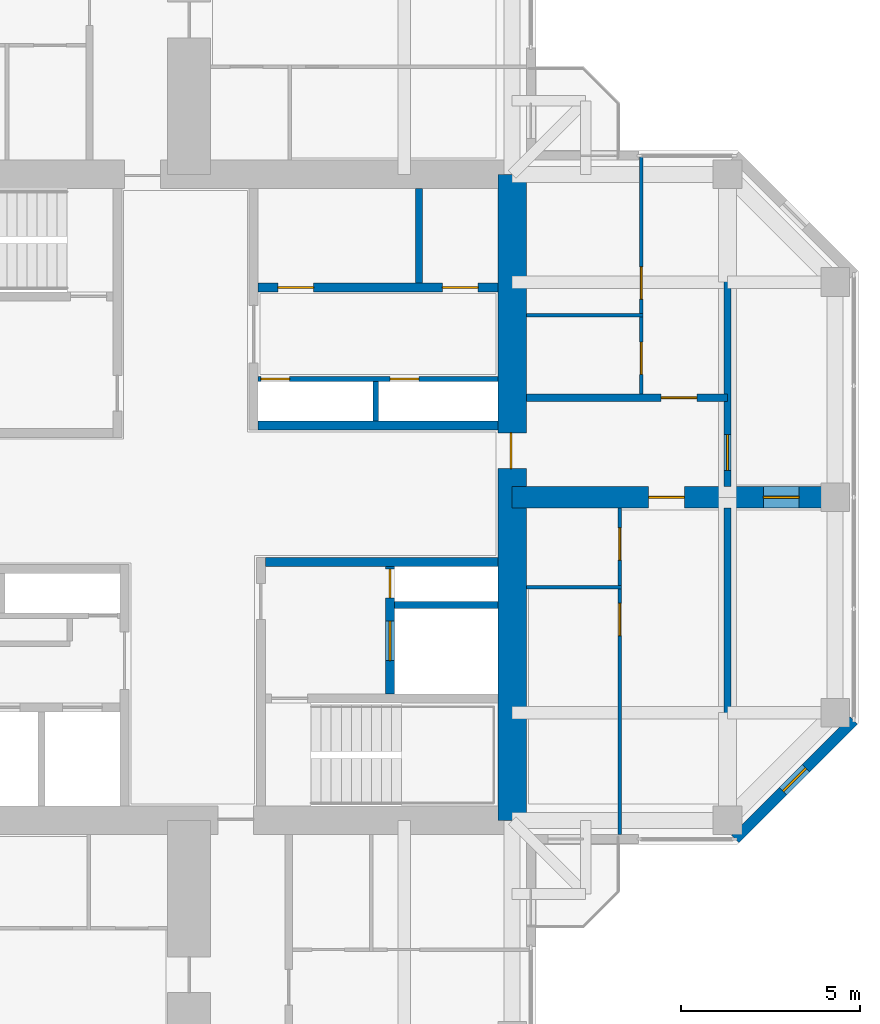
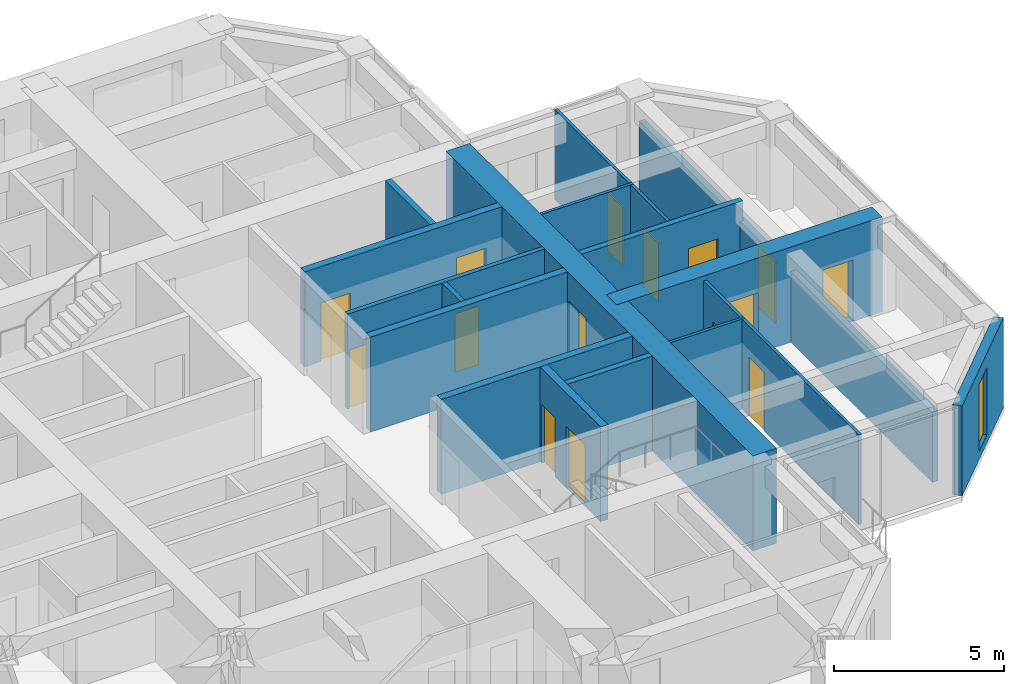
# One storey, part 11 of 13: 18 walls, 15 doors, 1 window, 16 openings.
"""IFC4 building model written with IfcOpenShell, lengths in metres."""

from ifc_helpers import new_model, si_unit, direction, frame, frame_2d, origin, place, context, subcontext, project, spatial, rectangle, hollow_rectangle, extrude, material, layer, layer_set, constituent, constituent_set, type_object, element, fill, save


model = new_model("IFC4")

# Units and contexts
model_context = context("Model", 3, precision=1e-05, world=origin(), true_north=direction((0.0, 1.0)))
body_context = subcontext(model_context, "Body", "Model", "MODEL_VIEW")
ifc_project = project(units=[si_unit("LENGTHUNIT", "METRE"), si_unit("AREAUNIT", "SQUARE_METRE"), si_unit("VOLUMEUNIT", "CUBIC_METRE"), si_unit("PLANEANGLEUNIT", "RADIAN"), si_unit("MASSUNIT", "GRAM", prefix="KILO")], contexts=[model_context])

# Site, building, storey
site_placement = place(None, origin())
site = spatial("IfcSite", under=ifc_project, at=site_placement, CompositionType="ELEMENT")
building_placement = place(site_placement, origin())
building = spatial("IfcBuilding", under=site, at=building_placement, Name="Torre Cruceta", CompositionType="ELEMENT")
storey_placement = place(building_placement, frame((0.0, 0.0, 235.699951171875)))
storey = spatial("IfcBuildingStorey", under=building, at=storey_placement, Name="L60", CompositionType="ELEMENT", Elevation=235.699951171875)

# Wall
ifc_material_1 = material(Name="Water-resistant plasterboard on steel studs", Category="steel")
ifc_layer_1 = layer(ifc_material_1, 0.10009765625)
ifc_layer_set_1 = layer_set([ifc_layer_1], Name="Water-resistant plasterboard on steel studs")
wall_type_1 = type_object("IfcWallType", Name="BATHROOM WALL 100", PredefinedType="PARTITIONING", material=ifc_layer_set_1)
wall_1_placement = place(storey_placement, frame((9.39990234375, 5.074951171875, 0.0), z_axis=(0.0, 0.0, 1.0), x_axis=(1.0, 0.0, 0.0)))
element("IfcWall", 1, at=wall_1_placement, inside=storey, type_object=wall_type_1, Name="PT4 L60-E-U1LBB", PredefinedType="PARTITIONING", context=body_context, shape_type="SweptSolid", body=[
    extrude(rectangle(XDim=3.25, YDim=0.10009765625, at=frame_2d((1.625, 0.0))), origin(), (0.0, 0.0, 1.0), 3.219970703125),
])

# Wall, openings, doors
wall_2_placement = place(storey_placement, frame((12.60009765625, 2.875, 0.0), z_axis=(0.0, 0.0, 1.0), x_axis=(0.0, 1.0, 0.0)))
wall_2 = element("IfcWall", 2, at=wall_2_placement, inside=storey, type_object=wall_type_1, Name="PT4 L60-E-U1LBS", PredefinedType="PARTITIONING", context=body_context, shape_type="SweptSolid", body=[
    extrude(rectangle(XDim=6.60498046875, YDim=0.10009765625, at=frame_2d((3.302490234375, 0.0))), origin(), (0.0, 0.0, 1.0), 3.219970703125),
])
opening_1_placement = place(wall_2_placement, frame((0.550048828125, 0.0, 0.0)))
opening_1 = element("IfcOpeningElement", 3, at=opening_1_placement, cuts=wall_2, Name="Opening D7", PredefinedType="OPENING", context=body_context, shape_type="SweptSolid", body=[
    extrude(rectangle(XDim=0.89990234375, YDim=2.10009765625, at=frame_2d((0.449951171875, 1.050048828125))), frame((0.0, 0.06005859375, 0.0), z_axis=(0.0, -1.0, 0.0), x_axis=(1.0, 0.0, 0.0)), (0.0, 0.0, 1.0), 0.1201171875),
])
opening_2_placement = place(wall_2_placement, frame((2.64990234375, 0.0, 0.0)))
opening_2 = element("IfcOpeningElement", 4, at=opening_2_placement, cuts=wall_2, Name="Opening D7", PredefinedType="OPENING", context=body_context, shape_type="SweptSolid", body=[
    extrude(rectangle(XDim=0.89990234375, YDim=2.10009765625, at=frame_2d((0.449951171875, 1.050048828125))), frame((0.0, 0.06005859375, 0.0), z_axis=(0.0, -1.0, 0.0), x_axis=(1.0, 0.0, 0.0)), (0.0, 0.0, 1.0), 0.1201171875),
])
ifc_material_2 = material(Name="Timber door", Category="wood")
door_type_1 = type_object("IfcDoorType", Name="BATHROOM DOOR 900X2100", OperationType="SINGLE_SWING_LEFT", PredefinedType="DOOR", material=ifc_material_2)
door_1_placement = place(opening_1_placement, origin())
door_1 = element("IfcDoor", 5, at=door_1_placement, inside=storey, type_object=door_type_1, Name="D7 L60-E-U1LBS-D1", OperationType="SINGLE_SWING_LEFT", OverallHeight=2.10009765625, OverallWidth=0.89990234375, PredefinedType="DOOR", context=body_context, shape_type="SweptSolid", body=[
    extrude(rectangle(XDim=0.89990234375, YDim=2.10009765625, at=frame_2d((0.449951171875, 1.050048828125))), frame((0.0, 0.02490234375, 0.0), z_axis=(0.0, -1.0, 0.0), x_axis=(1.0, 0.0, 0.0)), (0.0, 0.0, 1.0), 0.050048828125),
])
fill(opening_1, door_1)
door_2_placement = place(opening_2_placement, origin())
door_2 = element("IfcDoor", 6, at=door_2_placement, inside=storey, type_object=door_type_1, Name="D7 L60-E-U1LBS-D2", OperationType="SINGLE_SWING_LEFT", OverallHeight=2.10009765625, OverallWidth=0.89990234375, PredefinedType="DOOR", context=body_context, shape_type="SweptSolid", body=[
    extrude(rectangle(XDim=0.89990234375, YDim=2.10009765625, at=frame_2d((0.449951171875, 1.050048828125))), frame((0.0, 0.02490234375, 0.0), z_axis=(0.0, -1.0, 0.0), x_axis=(1.0, 0.0, 0.0)), (0.0, 0.0, 1.0), 0.050048828125),
])
fill(opening_2, door_2)

# Wall
wall_3_placement = place(storey_placement, frame((9.39990234375, -2.5, 0.0), z_axis=(0.0, 0.0, 1.0), x_axis=(1.0, 0.0, 0.0)))
element("IfcWall", 7, at=wall_3_placement, inside=storey, type_object=wall_type_1, Name="PT4 L60-E-U1RBB", PredefinedType="PARTITIONING", context=body_context, shape_type="SweptSolid", body=[
    extrude(rectangle(XDim=2.650146484375, YDim=0.10009765625, at=frame_2d((1.3251953125, 0.0))), origin(), (0.0, 0.0, 1.0), 3.219970703125),
])

# Wall, openings, doors
wall_4_placement = place(storey_placement, frame((12.0, -9.39501953125, 0.0), z_axis=(0.0, 0.0, 1.0), x_axis=(0.0, 1.0, 0.0)))
wall_4 = element("IfcWall", 8, at=wall_4_placement, inside=storey, type_object=wall_type_1, Name="PT4 L60-E-U1RBS", PredefinedType="PARTITIONING", context=body_context, shape_type="SweptSolid", body=[
    extrude(rectangle(XDim=9.094970703125, YDim=0.10009765625, at=frame_2d((4.54736328125, 0.0))), origin(), (0.0, 0.0, 1.0), 3.219970703125),
])
opening_3_placement = place(wall_4_placement, frame((5.544921875, 0.0, 0.0)))
opening_3 = element("IfcOpeningElement", 9, at=opening_3_placement, cuts=wall_4, Name="Opening D7", PredefinedType="OPENING", context=body_context, shape_type="SweptSolid", body=[
    extrude(rectangle(XDim=0.89990234375, YDim=2.10009765625, at=frame_2d((0.449951171875, 1.050048828125))), frame((0.0, 0.06005859375, 0.0), z_axis=(0.0, -1.0, 0.0), x_axis=(1.0, 0.0, 0.0)), (0.0, 0.0, 1.0), 0.1201171875),
])
opening_4_placement = place(wall_4_placement, frame((7.64501953125, 0.0, 0.0)))
opening_4 = element("IfcOpeningElement", 10, at=opening_4_placement, cuts=wall_4, Name="Opening D7", PredefinedType="OPENING", context=body_context, shape_type="SweptSolid", body=[
    extrude(rectangle(XDim=0.89990234375, YDim=2.10009765625, at=frame_2d((0.449951171875, 1.050048828125))), frame((0.0, 0.06005859375, 0.0), z_axis=(0.0, -1.0, 0.0), x_axis=(1.0, 0.0, 0.0)), (0.0, 0.0, 1.0), 0.1201171875),
])
door_3_placement = place(opening_3_placement, origin())
door_3 = element("IfcDoor", 11, at=door_3_placement, inside=storey, type_object=door_type_1, Name="D7 L60-E-U1RBS-D1", OperationType="SINGLE_SWING_RIGHT", OverallHeight=2.10009765625, OverallWidth=0.89990234375, PredefinedType="DOOR", context=body_context, shape_type="SweptSolid", body=[
    extrude(rectangle(XDim=0.89990234375, YDim=2.10009765625, at=frame_2d((0.449951171875, 1.050048828125))), frame((0.0, 0.02490234375, 0.0), z_axis=(0.0, -1.0, 0.0), x_axis=(1.0, 0.0, 0.0)), (0.0, 0.0, 1.0), 0.050048828125),
])
fill(opening_3, door_3)
door_4_placement = place(opening_4_placement, origin())
door_4 = element("IfcDoor", 12, at=door_4_placement, inside=storey, type_object=door_type_1, Name="D7 L60-E-U1RBS-D2", OperationType="SINGLE_SWING_RIGHT", OverallHeight=2.10009765625, OverallWidth=0.89990234375, PredefinedType="DOOR", context=body_context, shape_type="SweptSolid", body=[
    extrude(rectangle(XDim=0.89990234375, YDim=2.10009765625, at=frame_2d((0.449951171875, 1.050048828125))), frame((0.0, 0.02490234375, 0.0), z_axis=(0.0, -1.0, 0.0), x_axis=(1.0, 0.0, 0.0)), (0.0, 0.0, 1.0), 0.050048828125),
])
fill(opening_4, door_4)

# Wall
ifc_material_3 = material(Name="Concrete G60 (fck 60 MPa)", Category="concrete")
ifc_layer_2 = layer(ifc_material_3, 0.25)
ifc_layer_set_2 = layer_set([ifc_layer_2], Name="Concrete G60 (fck 60 MPa)")
wall_type_2 = type_object("IfcWallType", Name="CORE INNER WALL 250 G60", PredefinedType="SHEAR", material=ifc_layer_set_2)
wall_5_placement = place(storey_placement, frame((1.925048828125, 2.0, 0.0), z_axis=(0.0, 0.0, 1.0), x_axis=(1.0, 0.0, 0.0)))
element("IfcWall", 13, at=wall_5_placement, inside=storey, type_object=wall_type_2, Name="CW4 L60 NE-CV", PredefinedType="SHEAR", context=body_context, shape_type="SweptSolid", body=[
    extrude(rectangle(XDim=6.675048828125, YDim=0.25, at=frame_2d((3.33740234375, 0.0))), origin(), (0.0, 0.0, 1.0), 3.400146484375),
])

# Wall, openings, doors
wall_6_placement = place(storey_placement, frame((1.925048828125, 5.85009765625, 0.0), z_axis=(0.0, 0.0, 1.0), x_axis=(1.0, 0.0, 0.0)))
wall_6 = element("IfcWall", 14, at=wall_6_placement, inside=storey, type_object=wall_type_2, Name="CW4 L60 NE-LV", PredefinedType="SHEAR", context=body_context, shape_type="SweptSolid", body=[
    extrude(rectangle(XDim=6.675048828125, YDim=0.25, at=frame_2d((3.33740234375, 0.0))), origin(), (0.0, 0.0, 1.0), 3.400146484375),
])
opening_5_placement = place(wall_6_placement, frame((0.5458984375, 0.0, 0.0)))
opening_5 = element("IfcOpeningElement", 15, at=opening_5_placement, cuts=wall_6, Name="Opening D3", PredefinedType="OPENING", context=body_context, shape_type="SweptSolid", body=[
    extrude(rectangle(XDim=1.0, YDim=2.10009765625, at=frame_2d((0.5, 1.050048828125))), frame((0.0, 0.135009765625, 0.0), z_axis=(0.0, -1.0, 0.0), x_axis=(1.0, 0.0, 0.0)), (0.0, 0.0, 1.0), 0.27001953125),
])
opening_6_placement = place(wall_6_placement, frame((5.129150390625, 0.0, 0.0)))
opening_6 = element("IfcOpeningElement", 16, at=opening_6_placement, cuts=wall_6, Name="Opening D3", PredefinedType="OPENING", context=body_context, shape_type="SweptSolid", body=[
    extrude(rectangle(XDim=1.0, YDim=2.10009765625, at=frame_2d((0.5, 1.050048828125))), frame((0.0, 0.135009765625, 0.0), z_axis=(0.0, -1.0, 0.0), x_axis=(1.0, 0.0, 0.0)), (0.0, 0.0, 1.0), 0.27001953125),
])
ifc_material_4 = material(Name="Steel DX51D", Category="steel")
ifc_constituent_1 = constituent(ifc_material_4, Name="Leaf and frame")
ifc_material_5 = material(Name="Polyester powder coating", Category="paint")
ifc_constituent_2 = constituent(ifc_material_5, Name="Finish")
ifc_constituent_set_1 = constituent_set(constituents=[ifc_constituent_1, ifc_constituent_2], Name="Steel fire door")
door_type_2 = type_object("IfcDoorType", Name="FIRE DOOR 1000X2100", OperationType="SINGLE_SWING_LEFT", PredefinedType="DOOR", material=ifc_constituent_set_1)
door_5_placement = place(opening_5_placement, origin())
door_5 = element("IfcDoor", 17, at=door_5_placement, inside=storey, type_object=door_type_2, Name="D3 L60 NE-HR1", OperationType="SINGLE_SWING_LEFT", OverallHeight=2.10009765625, OverallWidth=1.0, PredefinedType="DOOR", context=body_context, shape_type="SweptSolid", body=[
    extrude(rectangle(XDim=1.0, YDim=2.10009765625, at=frame_2d((0.5, 1.050048828125))), frame((0.0, 0.02490234375, 0.0), z_axis=(0.0, -1.0, 0.0), x_axis=(1.0, 0.0, 0.0)), (0.0, 0.0, 1.0), 0.050048828125),
])
fill(opening_5, door_5)
door_6_placement = place(opening_6_placement, origin())
door_6 = element("IfcDoor", 18, at=door_6_placement, inside=storey, type_object=door_type_2, Name="D3 L60 NE-HR2", OperationType="SINGLE_SWING_RIGHT", OverallHeight=2.10009765625, OverallWidth=1.0, PredefinedType="DOOR", context=body_context, shape_type="SweptSolid", body=[
    extrude(rectangle(XDim=1.0, YDim=2.10009765625, at=frame_2d((0.5, 1.050048828125))), frame((0.0, 0.02490234375, 0.0), z_axis=(0.0, -1.0, 0.0), x_axis=(1.0, 0.0, 0.0)), (0.0, 0.0, 1.0), 0.050048828125),
])
fill(opening_6, door_6)

# Wall
wall_7_placement = place(storey_placement, frame((2.125, -1.800048828125, 0.0), z_axis=(0.0, 0.0, 1.0), x_axis=(1.0, 0.0, 0.0)))
element("IfcWall", 19, at=wall_7_placement, inside=storey, type_object=wall_type_2, Name="CW4 L60 SE-CV", PredefinedType="SHEAR", context=body_context, shape_type="SweptSolid", body=[
    extrude(rectangle(XDim=6.47509765625, YDim=0.25, at=frame_2d((3.237548828125, 0.0))), origin(), (0.0, 0.0, 1.0), 3.400146484375),
])

# Wall, openings, doors
wall_8_placement = place(storey_placement, frame((5.60009765625, -1.925048828125, 0.0), z_axis=(0.0, 0.0, 1.0), x_axis=(0.0, -1.0, 0.0)))
wall_8 = element("IfcWall", 20, at=wall_8_placement, inside=storey, type_object=wall_type_2, Name="CW4 L60 SE-FU", PredefinedType="SHEAR", context=body_context, shape_type="SweptSolid", body=[
    extrude(rectangle(XDim=3.550048828125, YDim=0.25, at=frame_2d((1.77490234375, 0.0))), origin(), (0.0, 0.0, 1.0), 3.400146484375),
])
opening_7_placement = place(wall_8_placement, frame((1.52490234375, 0.0, 0.0)))
opening_7 = element("IfcOpeningElement", 21, at=opening_7_placement, cuts=wall_8, Name="Opening LD1", PredefinedType="OPENING", context=body_context, shape_type="SweptSolid", body=[
    extrude(rectangle(XDim=1.10009765625, YDim=2.199951171875, at=frame_2d((0.550048828125, 1.10009765625))), frame((0.0, 0.135009765625, 0.0), z_axis=(0.0, -1.0, 0.0), x_axis=(1.0, 0.0, 0.0)), (0.0, 0.0, 1.0), 0.27001953125),
])
opening_8_placement = place(wall_8_placement, frame((0.074951171875, 0.0, 0.0)))
opening_8 = element("IfcOpeningElement", 22, at=opening_8_placement, cuts=wall_8, Name="Opening D5", PredefinedType="OPENING", context=body_context, shape_type="SweptSolid", body=[
    extrude(rectangle(XDim=0.800048828125, YDim=2.10009765625, at=frame_2d((0.39990234375, 1.050048828125))), frame((0.0, 0.135009765625, 0.0), z_axis=(0.0, -1.0, 0.0), x_axis=(1.0, 0.0, 0.0)), (0.0, 0.0, 1.0), 0.27001953125),
])
ifc_material_6 = material(Name="Stainless steel 1.4401", Category="steel")
door_type_3 = type_object("IfcDoorType", Name="LIFT LANDING DOOR 1100X2200", OperationType="DOUBLE_DOOR_SLIDING", PredefinedType="DOOR", material=ifc_material_6)
door_7_placement = place(opening_7_placement, origin())
door_7 = element("IfcDoor", 23, at=door_7_placement, inside=storey, type_object=door_type_3, Name="Lift landing door FL2", OperationType="DOUBLE_DOOR_SLIDING", OverallHeight=2.199951171875, OverallWidth=1.10009765625, PredefinedType="DOOR", context=body_context, shape_type="SweptSolid", body=[
    extrude(rectangle(XDim=1.10009765625, YDim=2.199951171875, at=frame_2d((0.550048828125, 1.10009765625))), frame((0.0, 0.02490234375, 0.0), z_axis=(0.0, -1.0, 0.0), x_axis=(1.0, 0.0, 0.0)), (0.0, 0.0, 1.0), 0.050048828125),
])
fill(opening_7, door_7)
ifc_material_7 = material(Name="Steel DX51D", Category="steel")
ifc_constituent_3 = constituent(ifc_material_7, Name="Leaf and frame")
ifc_material_8 = material(Name="Polyester powder coating", Category="paint")
ifc_constituent_4 = constituent(ifc_material_8, Name="Finish")
ifc_constituent_set_2 = constituent_set(constituents=[ifc_constituent_3, ifc_constituent_4], Name="Steel fire door")
door_type_4 = type_object("IfcDoorType", Name="RISER ACCESS DOOR 800X2100", OperationType="SINGLE_SWING_LEFT", PredefinedType="DOOR", material=ifc_constituent_set_2)
door_8_placement = place(opening_8_placement, origin())
door_8 = element("IfcDoor", 24, at=door_8_placement, inside=storey, type_object=door_type_4, Name="D5 L60 SE-RISER", OperationType="SINGLE_SWING_LEFT", OverallHeight=2.10009765625, OverallWidth=0.800048828125, PredefinedType="DOOR", context=body_context, shape_type="SweptSolid", body=[
    extrude(rectangle(XDim=0.800048828125, YDim=2.10009765625, at=frame_2d((0.39990234375, 1.050048828125))), frame((0.0, 0.02490234375, 0.0), z_axis=(0.0, -1.0, 0.0), x_axis=(1.0, 0.0, 0.0)), (0.0, 0.0, 1.0), 0.050048828125),
])
fill(opening_8, door_8)

# Wall, opening, door
ifc_material_9 = material(Name="Concrete G60 (fck 60 MPa)", Category="concrete")
ifc_layer_3 = layer(ifc_material_9, 0.800048828125)
ifc_layer_set_3 = layer_set([ifc_layer_3], Name="Concrete G60 (fck 60 MPa)")
wall_type_3 = type_object("IfcWallType", Name="CORE WALL 800 G60", PredefinedType="SHEAR", material=ifc_layer_set_3)
wall_9_placement = place(storey_placement, frame((9.0, -9.0, 0.0), z_axis=(0.0, 0.0, 1.0), x_axis=(0.0, 1.0, 0.0)))
wall_9 = element("IfcWall", 25, at=wall_9_placement, inside=storey, type_object=wall_type_3, Name="CW3 L60 CW-E", PredefinedType="SHEAR", context=body_context, shape_type="SweptSolid", body=[
    extrude(rectangle(XDim=18.0, YDim=0.800048828125, at=frame_2d((9.0, 0.0))), origin(), (0.0, 0.0, 1.0), 3.400146484375),
])
opening_9_placement = place(wall_9_placement, frame((9.800048828125, 0.0, 0.0)))
opening_9 = element("IfcOpeningElement", 26, at=opening_9_placement, cuts=wall_9, Name="Opening D4", PredefinedType="OPENING", context=body_context, shape_type="SweptSolid", body=[
    extrude(rectangle(XDim=1.0, YDim=2.39990234375, at=frame_2d((0.5, 1.199951171875))), frame((0.0, 0.409912109375, 0.0), z_axis=(0.0, -1.0, 0.0), x_axis=(1.0, 0.0, 0.0)), (0.0, 0.0, 1.0), 0.820068359375),
])
ifc_material_10 = material(Name="Steel DX51D", Category="steel")
ifc_constituent_5 = constituent(ifc_material_10, Name="Leaf and frame")
ifc_material_11 = material(Name="Polyester powder coating", Category="paint")
ifc_constituent_6 = constituent(ifc_material_11, Name="Finish")
ifc_constituent_set_3 = constituent_set(constituents=[ifc_constituent_5, ifc_constituent_6], Name="Steel fire door")
door_type_5 = type_object("IfcDoorType", Name="CORE ARM DOOR 1000X2400", OperationType="SINGLE_SWING_RIGHT", PredefinedType="DOOR", material=ifc_constituent_set_3)
door_9_placement = place(opening_9_placement, origin())
door_9 = element("IfcDoor", 27, at=door_9_placement, inside=storey, type_object=door_type_5, Name="D4 L60 CW-E", OperationType="SINGLE_SWING_RIGHT", OverallHeight=2.39990234375, OverallWidth=1.0, PredefinedType="DOOR", context=body_context, shape_type="SweptSolid", body=[
    extrude(rectangle(XDim=1.0, YDim=2.39990234375, at=frame_2d((0.5, 1.199951171875))), frame((0.0, 0.05517578125, 0.0), z_axis=(0.0, -1.0, 0.0), x_axis=(1.0, 0.0, 0.0)), (0.0, 0.0, 1.0), 0.050048828125),
])
fill(opening_9, door_9)

ifc_material_12 = material(Name="Concrete G25 (fck 25 MPa)", Category="concrete")
ifc_layer_4 = layer(ifc_material_12, 0.199951171875)
ifc_layer_set_4 = layer_set([ifc_layer_4], Name="Concrete G25 (fck 25 MPa)")
wall_type_4 = type_object("IfcWallType", Name="CORRIDOR WALL 200", PredefinedType="SOLIDWALL", material=ifc_layer_set_4)
wall_10_placement = place(storey_placement, frame((9.39990234375, 2.77490234375, 0.0), z_axis=(0.0, 0.0, 1.0), x_axis=(1.0, 0.0, 0.0)))
wall_10 = element("IfcWall", 28, at=wall_10_placement, inside=storey, type_object=wall_type_4, Name="PT3 L60-E-CL", PredefinedType="SOLIDWALL", context=body_context, shape_type="SweptSolid", body=[
    extrude(rectangle(XDim=5.60009765625, YDim=0.199951171875, at=frame_2d((2.800048828125, 0.0))), origin(), (0.0, 0.0, 1.0), 3.219970703125),
])
opening_10_placement = place(wall_10_placement, frame((3.75, 0.0, 0.0)))
opening_10 = element("IfcOpeningElement", 29, at=opening_10_placement, cuts=wall_10, Name="Opening D6", PredefinedType="OPENING", context=body_context, shape_type="SweptSolid", body=[
    extrude(rectangle(XDim=1.0, YDim=2.14990234375, at=frame_2d((0.5, 1.074951171875))), frame((0.0, 0.10986328125, 0.0), z_axis=(0.0, -1.0, 0.0), x_axis=(1.0, 0.0, 0.0)), (0.0, 0.0, 1.0), 0.219970703125),
])
ifc_material_13 = material(Name="Timber fire door", Category="wood")
door_type_6 = type_object("IfcDoorType", Name="UNIT ENTRANCE DOOR 1000X2150", OperationType="SINGLE_SWING_LEFT", PredefinedType="DOOR", material=ifc_material_13)
door_10_placement = place(opening_10_placement, origin())
door_10 = element("IfcDoor", 30, at=door_10_placement, inside=storey, type_object=door_type_6, Name="D6 L60-E-CL-D1", OperationType="SINGLE_SWING_LEFT", OverallHeight=2.14990234375, OverallWidth=1.0, PredefinedType="DOOR", context=body_context, shape_type="SweptSolid", body=[
    extrude(rectangle(XDim=1.0, YDim=2.14990234375, at=frame_2d((0.5, 1.074951171875))), frame((0.0, 0.02490234375, 0.0), z_axis=(0.0, -1.0, 0.0), x_axis=(1.0, 0.0, 0.0)), (0.0, 0.0, 1.0), 0.050048828125),
])
fill(opening_10, door_10)

# Wall, opening, window
ifc_material_14 = material(Name="Concrete G30 (fck 30 MPa)", Category="concrete")
ifc_layer_5 = layer(ifc_material_14, 0.300048828125)
ifc_layer_set_5 = layer_set([ifc_layer_5], Name="Concrete G30 (fck 30 MPa)")
wall_type_5 = type_object("IfcWallType", Name="EXPOSED CONCRETE FACADE WALL 300", PredefinedType="SOLIDWALL", material=ifc_layer_set_5)
wall_11_placement = place(storey_placement, frame((15.21533203125, -9.52001953125, 0.0), z_axis=(0.0, 0.0, 1.0), x_axis=(0.707106781187, 0.707106781187, 0.0)))
wall_11 = element("IfcWall", 31, at=wall_11_placement, inside=storey, type_object=wall_type_5, Name="EW1 facade wall L60 E chamfer 01", PredefinedType="SOLIDWALL", context=body_context, shape_type="SweptSolid", body=[
    extrude(rectangle(XDim=4.673583984375, YDim=0.300048828125, at=frame_2d((2.3369140625, 0.0))), origin(), (0.0, 0.0, 1.0), 3.219970703125),
])
opening_11_placement = place(wall_11_placement, frame((1.88671875, 0.0, 0.300048828125)))
opening_11 = element("IfcOpeningElement", 32, at=opening_11_placement, cuts=wall_11, Name="Opening WN5", PredefinedType="OPENING", context=body_context, shape_type="SweptSolid", body=[
    extrude(rectangle(XDim=0.89990234375, YDim=2.39990234375, at=frame_2d((0.449951171875, 1.199951171875))), frame((0.0, 0.159912109375, 0.0), z_axis=(0.0, -1.0, 0.0), x_axis=(1.0, 0.0, 0.0)), (0.0, 0.0, 1.0), 0.320068359375),
])
ifc_material_15 = material(Name="Aluminium window frame", Category="aluminium")
ifc_constituent_7 = constituent(ifc_material_15, Name="Frame")
ifc_material_16 = material(Name="Laminated insulating glass unit, low-iron clear", Category="glass")
ifc_constituent_8 = constituent(ifc_material_16, Name="Glazing")
ifc_constituent_set_4 = constituent_set(constituents=[ifc_constituent_7, ifc_constituent_8], Name="Aluminium window")
window_type = type_object("IfcWindowType", Name="CHAMFER SLOT WINDOW 900X2400", PartitioningType="SINGLE_PANEL", PredefinedType="WINDOW", material=ifc_constituent_set_4)
window_placement = place(opening_11_placement, origin())
window = element("IfcWindow", 33, at=window_placement, inside=storey, type_object=window_type, Name="WN5 L60 E 1", OverallHeight=2.39990234375, OverallWidth=0.89990234375, PartitioningType="SINGLE_PANEL", PredefinedType="WINDOW", context=body_context, shape_type="SweptSolid", body=[
    extrude(hollow_rectangle(XDim=0.89990234375, YDim=2.39990234375, WallThickness=0.06005859375, at=frame_2d((0.449951171875, 1.199951171875))), frame((0.0, 0.030029296875, 0.0), z_axis=(0.0, -1.0, 0.0), x_axis=(1.0, 0.0, 0.0)), (0.0, 0.0, 1.0), 0.06005859375),
    extrude(rectangle(XDim=0.77880859375, YDim=2.27880859375, at=frame_2d((0.449951171875, 1.199951171875))), frame((0.0, 0.030029296875, 0.0), z_axis=(0.0, -1.0, 0.0), x_axis=(1.0, 0.0, 0.0)), (0.0, 0.0, 1.0), 0.06005859375),
])
fill(opening_11, window)

# Walls
ifc_material_17 = material(Name="Concrete G35 (fck 35 MPa)", Category="concrete")
ifc_layer_6 = layer(ifc_material_17, 0.199951171875)
ifc_layer_set_6 = layer_set([ifc_layer_6], Name="Concrete G35 (fck 35 MPa)")
wall_type_6 = type_object("IfcWallType", Name="LIFT SHAFT WALL 200", PredefinedType="PARTITIONING", material=ifc_layer_set_6)
wall_12_placement = place(storey_placement, frame((6.408447265625, 5.97509765625, 0.0), z_axis=(0.0, 0.0, 1.0), x_axis=(0.0, 1.0, 0.0)))
element("IfcWall", 34, at=wall_12_placement, inside=storey, type_object=wall_type_6, Name="SW1 L60 NE-LS2", PredefinedType="PARTITIONING", context=body_context, shape_type="SweptSolid", body=[
    extrude(rectangle(XDim=2.625, YDim=0.199951171875, at=frame_2d((1.3125, 0.0))), origin(), (0.0, 0.0, 1.0), 3.400146484375),
])
wall_13_placement = place(storey_placement, frame((5.72509765625, -3.0, 0.0), z_axis=(0.0, 0.0, 1.0), x_axis=(1.0, 0.0, 0.0)))
element("IfcWall", 35, at=wall_13_placement, inside=storey, type_object=wall_type_6, Name="SW1 L60 SE-FR", PredefinedType="PARTITIONING", context=body_context, shape_type="SweptSolid", body=[
    extrude(rectangle(XDim=2.875, YDim=0.199951171875, at=frame_2d((1.4375, 0.0))), origin(), (0.0, 0.0, 1.0), 3.400146484375),
])

# Wall, openings, doors
ifc_material_18 = material(Name="Concrete block masonry", Category="masonry")
ifc_layer_7 = layer(ifc_material_18, 0.14990234375)
ifc_layer_set_7 = layer_set([ifc_layer_7], Name="Concrete block masonry")
wall_type_7 = type_object("IfcWallType", Name="RISER WALL 150", PredefinedType="PARTITIONING", material=ifc_layer_set_7)
wall_14_placement = place(storey_placement, frame((1.925048828125, 3.300048828125, 0.0), z_axis=(0.0, 0.0, 1.0), x_axis=(1.0, 0.0, 0.0)))
wall_14 = element("IfcWall", 36, at=wall_14_placement, inside=storey, type_object=wall_type_7, Name="SW7 L60 NE-RV", PredefinedType="PARTITIONING", context=body_context, shape_type="SweptSolid", body=[
    extrude(rectangle(XDim=6.675048828125, YDim=0.14990234375, at=frame_2d((3.33740234375, 0.0))), origin(), (0.0, 0.0, 1.0), 3.400146484375),
])
opening_12_placement = place(wall_14_placement, frame((0.074951171875, 0.0, 0.0)))
opening_12 = element("IfcOpeningElement", 37, at=opening_12_placement, cuts=wall_14, Name="Opening D5", PredefinedType="OPENING", context=body_context, shape_type="SweptSolid", body=[
    extrude(rectangle(XDim=0.800048828125, YDim=2.10009765625, at=frame_2d((0.39990234375, 1.050048828125))), frame((0.0, 0.0849609375, 0.0), z_axis=(0.0, -1.0, 0.0), x_axis=(1.0, 0.0, 0.0)), (0.0, 0.0, 1.0), 0.169921875),
])
opening_13_placement = place(wall_14_placement, frame((3.675048828125, 0.0, 0.0)))
opening_13 = element("IfcOpeningElement", 38, at=opening_13_placement, cuts=wall_14, Name="Opening D5", PredefinedType="OPENING", context=body_context, shape_type="SweptSolid", body=[
    extrude(rectangle(XDim=0.800048828125, YDim=2.10009765625, at=frame_2d((0.39990234375, 1.050048828125))), frame((0.0, 0.0849609375, 0.0), z_axis=(0.0, -1.0, 0.0), x_axis=(1.0, 0.0, 0.0)), (0.0, 0.0, 1.0), 0.169921875),
])
door_11_placement = place(opening_12_placement, frame((0.800048828125, 0.0, 0.0), z_axis=(0.0, 0.0, 1.0), x_axis=(-1.0, 0.0, 0.0)))
door_11 = element("IfcDoor", 39, at=door_11_placement, inside=storey, type_object=door_type_4, Name="D5 L60 NE-RISER1", OperationType="SINGLE_SWING_RIGHT", OverallHeight=2.10009765625, OverallWidth=0.800048828125, PredefinedType="DOOR", context=body_context, shape_type="SweptSolid", body=[
    extrude(rectangle(XDim=0.800048828125, YDim=2.10009765625, at=frame_2d((0.400146484375, 1.050048828125))), frame((0.0, 0.025146484375, 0.0), z_axis=(0.0, -1.0, 0.0), x_axis=(1.0, 0.0, 0.0)), (0.0, 0.0, 1.0), 0.050048828125),
])
fill(opening_12, door_11)
door_12_placement = place(opening_13_placement, frame((0.800048828125, 0.0, 0.0), z_axis=(0.0, 0.0, 1.0), x_axis=(-1.0, 0.0, 0.0)))
door_12 = element("IfcDoor", 40, at=door_12_placement, inside=storey, type_object=door_type_4, Name="D5 L60 NE-RISER2", OperationType="SINGLE_SWING_RIGHT", OverallHeight=2.10009765625, OverallWidth=0.800048828125, PredefinedType="DOOR", context=body_context, shape_type="SweptSolid", body=[
    extrude(rectangle(XDim=0.800048828125, YDim=2.10009765625, at=frame_2d((0.400146484375, 1.050048828125))), frame((0.0, 0.025146484375, 0.0), z_axis=(0.0, -1.0, 0.0), x_axis=(1.0, 0.0, 0.0)), (0.0, 0.0, 1.0), 0.050048828125),
])
fill(opening_13, door_12)

# Wall
wall_15_placement = place(storey_placement, frame((5.199951171875, 2.125, 0.0), z_axis=(0.0, 0.0, 1.0), x_axis=(0.0, 1.0, 0.0)))
element("IfcWall", 41, at=wall_15_placement, inside=storey, type_object=wall_type_7, Name="SW7 L60 NE-RU", PredefinedType="PARTITIONING", context=body_context, shape_type="SweptSolid", body=[
    extrude(rectangle(XDim=1.10009765625, YDim=0.14990234375, at=frame_2d((0.550048828125, 0.0))), origin(), (0.0, 0.0, 1.0), 3.400146484375),
])

# Wall, openings, doors
ifc_material_19 = material(Name="Concrete G60 (fck 60 MPa)", Category="concrete")
ifc_layer_8 = layer(ifc_material_19, 0.60009765625)
ifc_layer_set_8 = layer_set([ifc_layer_8], Name="Concrete G60 (fck 60 MPa)")
wall_type_8 = type_object("IfcWallType", Name="SPINE WALL 600 G60", PredefinedType="SHEAR", material=ifc_layer_set_8)
wall_16_placement = place(storey_placement, frame((9.0, 0.0, 0.0), z_axis=(0.0, 0.0, 1.0), x_axis=(1.0, 0.0, 0.0)))
wall_16 = element("IfcWall", 42, at=wall_16_placement, inside=storey, type_object=wall_type_8, Name="SW5 spine wall L60 E", PredefinedType="SHEAR", context=body_context, shape_type="SweptSolid", body=[
    extrude(rectangle(XDim=9.0, YDim=0.60009765625, at=frame_2d((4.5, 0.0))), origin(), (0.0, 0.0, 1.0), 3.400146484375),
])
opening_14_placement = place(wall_16_placement, frame((3.800048828125, 0.0, 0.0)))
opening_14 = element("IfcOpeningElement", 43, at=opening_14_placement, cuts=wall_16, Name="Opening D6", PredefinedType="OPENING", context=body_context, shape_type="SweptSolid", body=[
    extrude(rectangle(XDim=1.0, YDim=2.14990234375, at=frame_2d((0.5, 1.074951171875))), frame((0.0, 0.31005859375, 0.0), z_axis=(0.0, -1.0, 0.0), x_axis=(1.0, 0.0, 0.0)), (0.0, 0.0, 1.0), 0.6201171875),
])
opening_15_placement = place(wall_16_placement, frame((7.0, 0.0, 0.0)))
opening_15 = element("IfcOpeningElement", 44, at=opening_15_placement, cuts=wall_16, Name="Opening D14", PredefinedType="OPENING", context=body_context, shape_type="SweptSolid", body=[
    extrude(rectangle(XDim=1.0, YDim=2.199951171875, at=frame_2d((0.5, 1.10009765625))), frame((0.0, 0.31005859375, 0.0), z_axis=(0.0, -1.0, 0.0), x_axis=(1.0, 0.0, 0.0)), (0.0, 0.0, 1.0), 0.6201171875),
])
ifc_material_20 = material(Name="Steel DX51D", Category="steel")
ifc_constituent_9 = constituent(ifc_material_20, Name="Leaf and frame")
ifc_material_21 = material(Name="Polyester powder coating", Category="paint")
ifc_constituent_10 = constituent(ifc_material_21, Name="Finish")
ifc_material_22 = material(Name="Fire-resisting glass", Category="glass")
ifc_constituent_11 = constituent(ifc_material_22, Name="Vision panel")
ifc_constituent_set_5 = constituent_set(constituents=[ifc_constituent_9, ifc_constituent_10, ifc_constituent_11], Name="Steel fire door with vision panel")
door_type_7 = type_object("IfcDoorType", Name="FIRE DOOR VISION PANEL 1000X2200", OperationType="SINGLE_SWING_RIGHT", PredefinedType="DOOR", material=ifc_constituent_set_5)
door_13_placement = place(opening_15_placement, origin())
door_13 = element("IfcDoor", 45, at=door_13_placement, inside=storey, type_object=door_type_7, Name="D14 L60-E-SP2", OperationType="SINGLE_SWING_LEFT", OverallHeight=2.199951171875, OverallWidth=1.0, PredefinedType="DOOR", context=body_context, shape_type="SweptSolid", body=[
    extrude(rectangle(XDim=1.0, YDim=2.199951171875, at=frame_2d((0.5, 1.10009765625))), frame((0.0, 0.02490234375, 0.0), z_axis=(0.0, -1.0, 0.0), x_axis=(1.0, 0.0, 0.0)), (0.0, 0.0, 1.0), 0.050048828125),
])
fill(opening_15, door_13)
door_14_placement = place(opening_14_placement, frame((1.0, 0.0, 0.0), z_axis=(0.0, 0.0, 1.0), x_axis=(-1.0, 0.0, 0.0)))
door_14 = element("IfcDoor", 46, at=door_14_placement, inside=storey, type_object=door_type_6, Name="D6 L60-E-SP1", OperationType="SINGLE_SWING_RIGHT", OverallHeight=2.14990234375, OverallWidth=1.0, PredefinedType="DOOR", context=body_context, shape_type="SweptSolid", body=[
    extrude(rectangle(XDim=1.0, YDim=2.14990234375, at=frame_2d((0.5, 1.074951171875))), frame((0.0, 0.025146484375, 0.0), z_axis=(0.0, -1.0, 0.0), x_axis=(1.0, 0.0, 0.0)), (0.0, 0.0, 1.0), 0.050048828125),
])
fill(opening_14, door_14)

# Wall
ifc_material_23 = material(Name="Concrete G25 (fck 25 MPa)", Category="concrete")
ifc_layer_9 = layer(ifc_material_23, 0.199951171875)
ifc_layer_set_9 = layer_set([ifc_layer_9], Name="Concrete G25 (fck 25 MPa)")
wall_type_9 = type_object("IfcWallType", Name="UNIT SEPARATING WALL 200", PredefinedType="SOLIDWALL", material=ifc_layer_set_9)
wall_17_placement = place(storey_placement, frame((15.0, -8.60009765625, 0.0), z_axis=(0.0, 0.0, 1.0), x_axis=(0.0, 1.0, 0.0)))
element("IfcWall", 47, at=wall_17_placement, inside=storey, type_object=wall_type_9, Name="PT2 L60-E-ENDa", PredefinedType="SOLIDWALL", context=body_context, shape_type="SweptSolid", body=[
    extrude(rectangle(XDim=8.300048828125, YDim=0.199951171875, at=frame_2d((4.14990234375, 0.0))), origin(), (0.0, 0.0, 1.0), 2.52001953125),
])

# Wall, opening, door
wall_18_placement = place(storey_placement, frame((15.0, 0.300048828125, 0.0), z_axis=(0.0, 0.0, 1.0), x_axis=(0.0, 1.0, 0.0)))
wall_18 = element("IfcWall", 48, at=wall_18_placement, inside=storey, type_object=wall_type_9, Name="PT2 L60-E-ENDb", PredefinedType="SOLIDWALL", context=body_context, shape_type="SweptSolid", body=[
    extrude(rectangle(XDim=8.300048828125, YDim=0.199951171875, at=frame_2d((4.14990234375, 0.0))), origin(), (0.0, 0.0, 1.0), 2.52001953125),
])
opening_16_placement = place(wall_18_placement, frame((0.449951171875, 0.0, 0.0)))
opening_16 = element("IfcOpeningElement", 49, at=opening_16_placement, cuts=wall_18, Name="Opening D14", PredefinedType="OPENING", context=body_context, shape_type="SweptSolid", body=[
    extrude(rectangle(XDim=1.0, YDim=2.199951171875, at=frame_2d((0.5, 1.10009765625))), frame((0.0, 0.10986328125, 0.0), z_axis=(0.0, -1.0, 0.0), x_axis=(1.0, 0.0, 0.0)), (0.0, 0.0, 1.0), 0.219970703125),
])
door_15_placement = place(opening_16_placement, frame((1.0, 0.0, 0.0), z_axis=(0.0, 0.0, 1.0), x_axis=(-1.0, 0.0, 0.0)))
door_15 = element("IfcDoor", 50, at=door_15_placement, inside=storey, type_object=door_type_7, Name="D14 L60-E-ENDb-D1", OperationType="SINGLE_SWING_LEFT", OverallHeight=2.199951171875, OverallWidth=1.0, PredefinedType="DOOR", context=body_context, shape_type="SweptSolid", body=[
    extrude(rectangle(XDim=1.0, YDim=2.199951171875, at=frame_2d((0.5, 1.10009765625))), frame((0.0, 0.025146484375, 0.0), z_axis=(0.0, -1.0, 0.0), x_axis=(1.0, 0.0, 0.0)), (0.0, 0.0, 1.0), 0.050048828125),
])
fill(opening_16, door_15)

save(model, "model.ifc")
